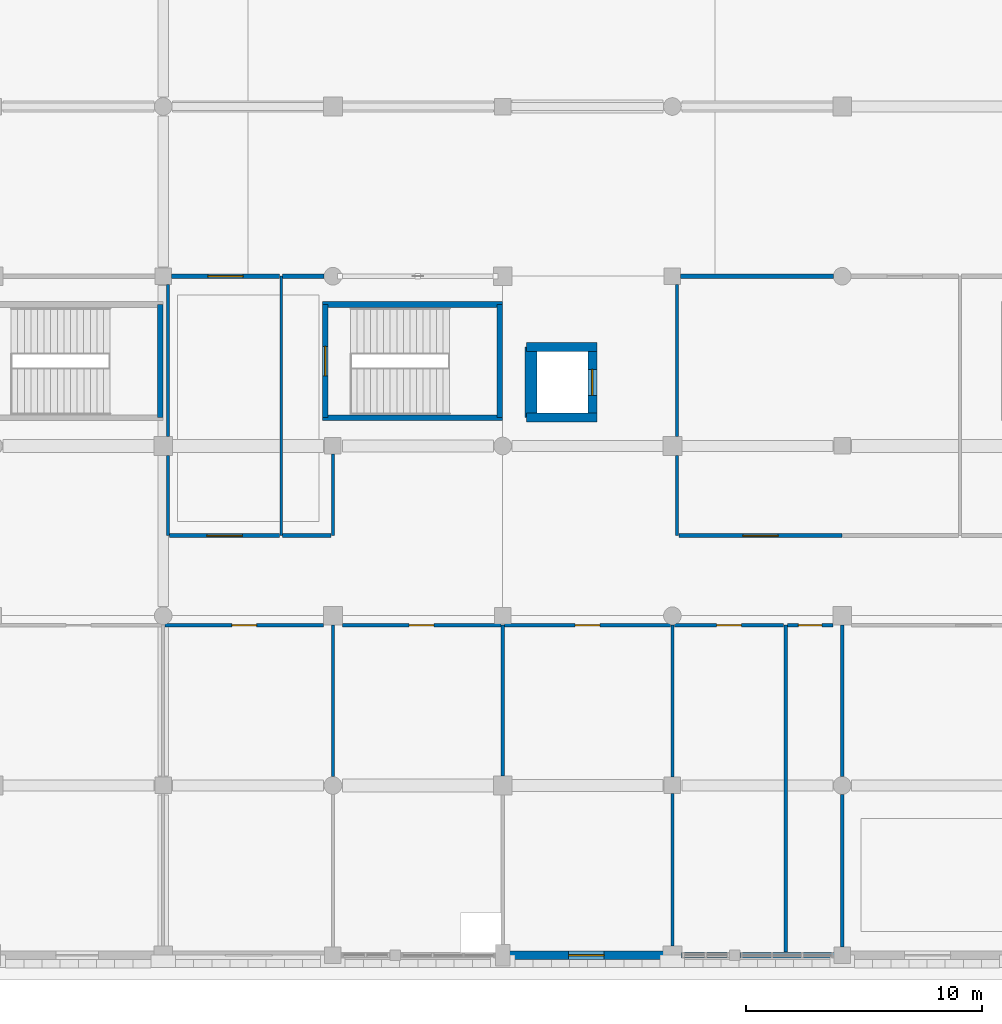
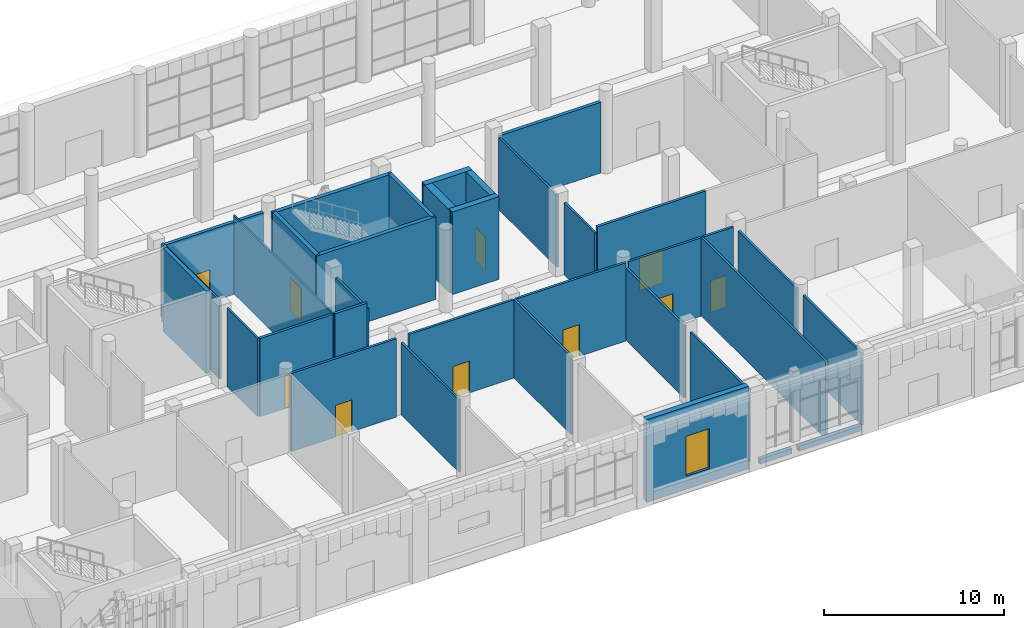
# One storey, part 57 of 85: 36 walls, 10 doors, 1 window, 11 openings.
"""IFC4 building model written with IfcOpenShell, lengths in metres."""

from ifc_helpers import new_model, si_unit, direction, frame, frame_2d, origin, place, context, subcontext, project, spatial, rectangle, extrude, material, layer, layer_set, type_object, element, fill, save


model = new_model("IFC4")

# Units and contexts
model_context = context("Model", 3, precision=1e-05, world=origin(), true_north=direction((0.0, 1.0)))
body_context = subcontext(model_context, "Body", "Model", "MODEL_VIEW")
ifc_project = project(units=[si_unit("LENGTHUNIT", "METRE"), si_unit("AREAUNIT", "SQUARE_METRE"), si_unit("VOLUMEUNIT", "CUBIC_METRE"), si_unit("PLANEANGLEUNIT", "RADIAN"), si_unit("MASSUNIT", "GRAM", prefix="KILO")], contexts=[model_context])

# Site, building, storey
site_placement = place(None, origin())
site = spatial("IfcSite", under=ifc_project, at=site_placement, CompositionType="ELEMENT")
building_placement = place(site_placement, origin())
building = spatial("IfcBuilding", under=site, at=building_placement, Name="Sardonyx Promenade Sports Hall", CompositionType="ELEMENT")
storey_placement = place(building_placement, origin())
storey = spatial("IfcBuildingStorey", under=building, at=storey_placement, Name="L00", CompositionType="ELEMENT", Elevation=0.0)

# Wall, opening, door
ifc_material_1 = material(Name="Concrete C40/50", Category="concrete")
ifc_layer_1 = layer(ifc_material_1, 0.3798828125)
ifc_layer_set_1 = layer_set([ifc_layer_1], Name="Wall_Core_Shear_380")
wall_type_1 = type_object("IfcWallType", Name="Wall_Core_Shear_380", PredefinedType="SHEAR", material=ifc_layer_set_1)
wall_1_placement = place(storey_placement, frame((83.0, 22.800048828125, 0.0), z_axis=(0.0, 0.0, 1.0), x_axis=(0.0, 1.0, 0.0)))
wall_1 = element("IfcWall", 1, at=wall_1_placement, inside=storey, type_object=wall_type_1, Name="Lift shaft wall LF2 L00 E", PredefinedType="SHEAR", context=body_context, shape_type="SweptSolid", body=[
    extrude(rectangle(XDim=3.0, YDim=0.3798828125, at=frame_2d((1.5, 0.0))), origin(), (0.0, 0.0, 1.0), 5.60009765625),
])
opening_1_placement = place(wall_1_placement, frame((0.949951171875, 0.0, 0.0)))
opening_1 = element("IfcOpeningElement", 2, at=opening_1_placement, cuts=wall_1, Name="Opening LD01", PredefinedType="OPENING", context=body_context, shape_type="SweptSolid", body=[
    extrude(rectangle(XDim=1.10009765625, YDim=2.199951171875, at=frame_2d((0.550048828125, 1.10009765625))), frame((0.0, 0.2, 0.0), z_axis=(0.0, -1.0, 0.0), x_axis=(1.0, 0.0, 0.0)), (0.0, 0.0, 1.0), 0.4),
])
ifc_material_2 = material(Name="Fire-rated stainless steel sliding lift door", Category="steel")
door_type_1 = type_object("IfcDoorType", Name="Door_Lift_Pass_110x220", OperationType="NOTDEFINED", PredefinedType="DOOR", material=ifc_material_2)
door_1_placement = place(opening_1_placement, origin())
door_1 = element("IfcDoor", 3, at=door_1_placement, inside=storey, type_object=door_type_1, Name="Lift landing sliding door LD-LF2-L00", OperationType="SLIDING_TO_LEFT", OverallHeight=2.199951171875, OverallWidth=1.10009765625, PredefinedType="DOOR", context=body_context, shape_type="SweptSolid", body=[
    extrude(rectangle(XDim=1.10009765625, YDim=2.199951171875, at=frame_2d((0.550048828125, 1.10009765625))), frame((0.0, 0.02490234375, 0.0), z_axis=(0.0, -1.0, 0.0), x_axis=(1.0, 0.0, 0.0)), (0.0, 0.0, 1.0), 0.050048828125),
])
fill(opening_1, door_1)

# Walls
for number, where, z_axis, x_axis, name in (
    (4, (80.2099609375, 25.800048828125, 0.0), (0.0, 0.0, 1.0), (1.0, 0.0, 0.0), "Lift shaft wall LF2 L00 N"),
    (5, (83.18994140625, 22.800048828125, 0.0), (0.0, 0.0, 1.0), (-1.0, 0.0, 0.0), "Lift shaft wall LF2 L00 S"),
):
    element("IfcWall", number, at=place(storey_placement, frame(where, z_axis=z_axis, x_axis=x_axis)), inside=storey, type_object=wall_type_1, Name=name, PredefinedType="SHEAR", context=body_context, shape_type="SweptSolid", body=[
        extrude(rectangle(XDim=2.97998046875, YDim=0.3798828125, at=frame_2d((1.489990234375, 0.0))), origin(), (0.0, 0.0, 1.0), 5.60009765625),
    ])
ifc_material_3 = material(Name="Concrete C50/60", Category="concrete")
ifc_layer_2 = layer(ifc_material_3, 0.5)
ifc_layer_set_2 = layer_set([ifc_layer_2], Name="Wall_Core_Shear_500")
wall_type_2 = type_object("IfcWallType", Name="Wall_Core_Shear_500", PredefinedType="SHEAR", material=ifc_layer_set_2)
wall_2_placement = place(storey_placement, frame((80.39990234375, 25.800048828125, 0.0), z_axis=(0.0, 0.0, 1.0), x_axis=(0.0, -1.0, 0.0)))
element("IfcWall", 6, at=wall_2_placement, inside=storey, type_object=wall_type_2, Name="Lift shaft wall LF2 L00 W", PredefinedType="SHEAR", context=body_context, shape_type="SweptSolid", body=[
    extrude(rectangle(XDim=3.0, YDim=0.5, at=frame_2d((1.5, 0.0))), origin(), (0.0, 0.0, 1.0), 5.60009765625),
])

# Wall, opening, window
ifc_material_4 = material(Name="Concrete C40/50", Category="concrete")
ifc_layer_3 = layer(ifc_material_4, 0.360107421875)
ifc_layer_set_3 = layer_set([ifc_layer_3], Name="Wall_Ext_Sandstone_360")
wall_type_3 = type_object("IfcWallType", Name="Wall_Ext_Sandstone_360", PredefinedType="SOLIDWALL", material=ifc_layer_set_3)
wall_3_placement = place(storey_placement, frame((86.014892578125, 0.0, 0.0), z_axis=(0.0, 0.0, 1.0), x_axis=(-1.0, 0.0, 0.0)))
wall_3 = element("IfcWall", 7, at=wall_3_placement, inside=storey, type_object=wall_type_3, Name="Exterior wall EW06 L00 #16", PredefinedType="SOLIDWALL", context=body_context, shape_type="SweptSolid", body=[
    extrude(rectangle(XDim=6.52978515625, YDim=0.360107421875, at=frame_2d((3.264892578125, 0.0))), origin(), (0.0, 0.0, 1.0), 5.60009765625),
])
opening_2_placement = place(wall_3_placement, frame((2.514892578125, 0.0, 0.89990234375)))
opening_2 = element("IfcOpeningElement", 8, at=opening_2_placement, cuts=wall_3, Name="Opening W07", PredefinedType="OPENING", context=body_context, shape_type="SweptSolid", body=[
    extrude(rectangle(XDim=1.5, YDim=2.699951171875, at=frame_2d((0.75, 1.35009765625))), frame((0.0, 0.19, 0.0), z_axis=(0.0, -1.0, 0.0), x_axis=(1.0, 0.0, 0.0)), (0.0, 0.0, 1.0), 0.38),
])
ifc_material_5 = material(Name="Double-glazed solar low-E aluminium window", Category="aluminium")
window_type = type_object("IfcWindowType", Name="Win_Sandstone_TallA", PartitioningType="SINGLE_PANEL", PredefinedType="WINDOW", material=ifc_material_5)
window_placement = place(opening_2_placement, origin())
window = element("IfcWindow", 9, at=window_placement, inside=storey, type_object=window_type, Name="Facade window W07 L00 #3", OverallHeight=2.699951171875, OverallWidth=1.5, PartitioningType="SINGLE_PANEL", PredefinedType="WINDOW", context=body_context, shape_type="SweptSolid", body=[
    extrude(rectangle(XDim=1.5, YDim=2.699951171875, at=frame_2d((0.75, 1.35009765625))), frame((0.0, 0.030029296875, 0.0), z_axis=(0.0, -1.0, 0.0), x_axis=(1.0, 0.0, 0.0)), (0.0, 0.0, 1.0), 0.06005859375),
])
fill(opening_2, window)

# Walls
ifc_material_6 = material(Name="Masonry CMU 15 MPa", Category="masonry")
ifc_layer_4 = layer(ifc_material_6, 0.239990234375)
ifc_layer_set_4 = layer_set([ifc_layer_4], Name="Wall_Ext_Spandrel_240")
wall_type_4 = type_object("IfcWallType", Name="Wall_Ext_Spandrel_240", PredefinedType="SOLIDWALL", material=ifc_layer_set_4)
wall_4_placement = place(storey_placement, frame((93.264892578125, 0.0, 0.0), z_axis=(0.0, 0.0, 1.0), x_axis=(-1.0, 0.0, 0.0)))
element("IfcWall", 10, at=wall_4_placement, inside=storey, type_object=wall_type_4, Name="Curtain-wall sill spandrel L00 #14", PredefinedType="SOLIDWALL", context=body_context, shape_type="SweptSolid", body=[
    extrude(rectangle(XDim=4.0048828125, YDim=0.239990234375, at=frame_2d((2.00244140625, 0.0))), origin(), (0.0, 0.0, 1.0), 0.35009765625),
])
wall_5_placement = place(storey_placement, frame((88.840087890625, 0.0, 0.0), z_axis=(0.0, 0.0, 1.0), x_axis=(-1.0, 0.0, 0.0)))
element("IfcWall", 11, at=wall_5_placement, inside=storey, type_object=wall_type_4, Name="Curtain-wall sill spandrel L00 #15", PredefinedType="SOLIDWALL", context=body_context, shape_type="SweptSolid", body=[
    extrude(rectangle(XDim=2.05517578125, YDim=0.239990234375, at=frame_2d((1.027587890625, 0.0))), origin(), (0.0, 0.0, 1.0), 0.35009765625),
])

# Wall, opening, door
ifc_material_7 = material(Name="Twin-stud acoustic gypsum partition", Category="gypsum")
ifc_layer_5 = layer(ifc_material_7, 0.169921875)
ifc_layer_set_5 = layer_set([ifc_layer_5], Name="Wall_Part_Acoust_170")
wall_type_5 = type_object("IfcWallType", Name="Wall_Part_Acoust_170", PredefinedType="PARTITIONING", material=ifc_layer_set_5)
wall_6_placement = place(storey_placement, frame((65.070068359375, 17.800048828125, 0.0), z_axis=(0.0, 0.0, 1.0), x_axis=(1.0, 0.0, 0.0)))
wall_6 = element("IfcWall", 12, at=wall_6_placement, inside=storey, type_object=wall_type_5, Name="Interior partition PW06 L00 #142", PredefinedType="PARTITIONING", context=body_context, shape_type="SweptSolid", body=[
    extrude(rectangle(XDim=4.669921875, YDim=0.169921875, at=frame_2d((2.3349609375, 0.0))), origin(), (0.0, 0.0, 1.0), 5.300048828125),
])
opening_3_placement = place(wall_6_placement, frame((1.5849609375, 0.0, 0.0)))
opening_3 = element("IfcOpeningElement", 13, at=opening_3_placement, cuts=wall_6, Name="Opening ID10", PredefinedType="OPENING", context=body_context, shape_type="SweptSolid", body=[
    extrude(rectangle(XDim=1.5, YDim=2.199951171875, at=frame_2d((0.75, 1.10009765625))), frame((0.0, 0.095, 0.0), z_axis=(0.0, -1.0, 0.0), x_axis=(1.0, 0.0, 0.0)), (0.0, 0.0, 1.0), 0.19),
])
ifc_material_8 = material(Name="Double studio entrance fire door FD30S", Category="wood")
door_type_2 = type_object("IfcDoorType", Name="Door_Corr_FD30_150x220", OperationType="NOTDEFINED", PredefinedType="DOOR", material=ifc_material_8)
door_2_placement = place(opening_3_placement, origin())
door_2 = element("IfcDoor", 14, at=door_2_placement, inside=storey, type_object=door_type_2, Name="Interior door D00-041", OperationType="DOUBLE_DOOR_SINGLE_SWING", OverallHeight=2.199951171875, OverallWidth=1.5, PredefinedType="DOOR", context=body_context, shape_type="SweptSolid", body=[
    extrude(rectangle(XDim=1.5, YDim=2.199951171875, at=frame_2d((0.75, 1.10009765625))), frame((0.0, 0.02490234375, 0.0), z_axis=(0.0, -1.0, 0.0), x_axis=(1.0, 0.0, 0.0)), (0.0, 0.0, 1.0), 0.050048828125),
])
fill(opening_3, door_2)

# Wall
wall_7_placement = place(storey_placement, frame((69.860107421875, 17.800048828125, 0.0), z_axis=(0.0, 0.0, 1.0), x_axis=(1.0, 0.0, 0.0)))
element("IfcWall", 15, at=wall_7_placement, inside=storey, type_object=wall_type_5, Name="Interior partition PW06 L00 #143", PredefinedType="PARTITIONING", context=body_context, shape_type="SweptSolid", body=[
    extrude(rectangle(XDim=2.059814453125, YDim=0.169921875, at=frame_2d((1.02978515625, 0.0))), origin(), (0.0, 0.0, 1.0), 5.300048828125),
])

# Wall, opening, door
wall_8_placement = place(storey_placement, frame((86.675048828125, 17.800048828125, 0.0), z_axis=(0.0, 0.0, 1.0), x_axis=(1.0, 0.0, 0.0)))
wall_8 = element("IfcWall", 16, at=wall_8_placement, inside=storey, type_object=wall_type_5, Name="Interior partition PW06 L00 #144", PredefinedType="PARTITIONING", context=body_context, shape_type="SweptSolid", body=[
    extrude(rectangle(XDim=6.925048828125, YDim=0.169921875, at=frame_2d((3.46240234375, 0.0))), origin(), (0.0, 0.0, 1.0), 5.300048828125),
])
opening_4_placement = place(wall_8_placement, frame((2.71240234375, 0.0, 0.0)))
opening_4 = element("IfcOpeningElement", 17, at=opening_4_placement, cuts=wall_8, Name="Opening ID10", PredefinedType="OPENING", context=body_context, shape_type="SweptSolid", body=[
    extrude(rectangle(XDim=1.5, YDim=2.199951171875, at=frame_2d((0.75, 1.10009765625))), frame((0.0, 0.095, 0.0), z_axis=(0.0, -1.0, 0.0), x_axis=(1.0, 0.0, 0.0)), (0.0, 0.0, 1.0), 0.19),
])
door_3_placement = place(opening_4_placement, origin())
door_3 = element("IfcDoor", 18, at=door_3_placement, inside=storey, type_object=door_type_2, Name="Interior door D00-042", OperationType="DOUBLE_DOOR_SINGLE_SWING", OverallHeight=2.199951171875, OverallWidth=1.5, PredefinedType="DOOR", context=body_context, shape_type="SweptSolid", body=[
    extrude(rectangle(XDim=1.5, YDim=2.199951171875, at=frame_2d((0.75, 1.10009765625))), frame((0.0, 0.02490234375, 0.0), z_axis=(0.0, -1.0, 0.0), x_axis=(1.0, 0.0, 0.0)), (0.0, 0.0, 1.0), 0.050048828125),
])
fill(opening_4, door_3)

ifc_material_9 = material(Name="Masonry CMU 15 MPa", Category="masonry")
ifc_layer_6 = layer(ifc_material_9, 0.2099609375)
ifc_layer_set_6 = layer_set([ifc_layer_6], Name="Wall_Part_Block_210")
wall_type_6 = type_object("IfcWallType", Name="Wall_Part_Block_210", PredefinedType="PARTITIONING", material=ifc_layer_set_6)
wall_9_placement = place(storey_placement, frame((65.14990234375, 28.800048828125, 0.0), z_axis=(0.0, 0.0, 1.0), x_axis=(1.0, 0.0, 0.0)))
wall_9 = element("IfcWall", 19, at=wall_9_placement, inside=storey, type_object=wall_type_6, Name="Interior partition PW07 L00 #115", PredefinedType="PARTITIONING", context=body_context, shape_type="SweptSolid", body=[
    extrude(rectangle(XDim=4.590087890625, YDim=0.2099609375, at=frame_2d((2.294921875, 0.0))), origin(), (0.0, 0.0, 1.0), 4.8798828125),
])
opening_5_placement = place(wall_9_placement, frame((1.544921875, 0.0, 0.0)))
opening_5 = element("IfcOpeningElement", 20, at=opening_5_placement, cuts=wall_9, Name="Opening ID10", PredefinedType="OPENING", context=body_context, shape_type="SweptSolid", body=[
    extrude(rectangle(XDim=1.5, YDim=2.199951171875, at=frame_2d((0.75, 1.10009765625))), frame((0.0, 0.115, 0.0), z_axis=(0.0, -1.0, 0.0), x_axis=(1.0, 0.0, 0.0)), (0.0, 0.0, 1.0), 0.23),
])
door_4_placement = place(opening_5_placement, origin())
door_4 = element("IfcDoor", 21, at=door_4_placement, inside=storey, type_object=door_type_2, Name="Interior door D00-023", OperationType="DOUBLE_DOOR_SINGLE_SWING", OverallHeight=2.199951171875, OverallWidth=1.5, PredefinedType="DOOR", context=body_context, shape_type="SweptSolid", body=[
    extrude(rectangle(XDim=1.5, YDim=2.199951171875, at=frame_2d((0.75, 1.10009765625))), frame((0.0, 0.02490234375, 0.0), z_axis=(0.0, -1.0, 0.0), x_axis=(1.0, 0.0, 0.0)), (0.0, 0.0, 1.0), 0.050048828125),
])
fill(opening_5, door_4)

# Walls
wall_10_placement = place(storey_placement, frame((69.860107421875, 28.800048828125, 0.0), z_axis=(0.0, 0.0, 1.0), x_axis=(1.0, 0.0, 0.0)))
element("IfcWall", 22, at=wall_10_placement, inside=storey, type_object=wall_type_6, Name="Interior partition PW07 L00 #116", PredefinedType="PARTITIONING", context=body_context, shape_type="SweptSolid", body=[
    extrude(rectangle(XDim=1.764892578125, YDim=0.2099609375, at=frame_2d((0.88232421875, 0.0))), origin(), (0.0, 0.0, 1.0), 4.8798828125),
])
wall_11_placement = place(storey_placement, frame((86.75, 28.800048828125, 0.0), z_axis=(0.0, 0.0, 1.0), x_axis=(1.0, 0.0, 0.0)))
element("IfcWall", 23, at=wall_11_placement, inside=storey, type_object=wall_type_6, Name="Interior partition PW07 L00 #117", PredefinedType="PARTITIONING", context=body_context, shape_type="SweptSolid", body=[
    extrude(rectangle(XDim=6.47509765625, YDim=0.2099609375, at=frame_2d((3.237548828125, 0.0))), origin(), (0.0, 0.0, 1.0), 4.780029296875),
])
ifc_material_10 = material(Name="Hygienic clinical stud partition", Category="gypsum")
ifc_layer_7 = layer(ifc_material_10, 0.1201171875)
ifc_layer_set_7 = layer_set([ifc_layer_7], Name="Wall_Part_Clinic_120")
wall_type_7 = type_object("IfcWallType", Name="Wall_Part_Clinic_120", PredefinedType="PARTITIONING", material=ifc_layer_set_7)
wall_12_placement = place(storey_placement, frame((65.0, 17.800048828125, 0.0), z_axis=(0.0, 0.0, 1.0), x_axis=(0.0, 1.0, 0.0)))
element("IfcWall", 24, at=wall_12_placement, inside=storey, type_object=wall_type_7, Name="Interior partition PW02 L00 #94", PredefinedType="PARTITIONING", context=body_context, shape_type="SweptSolid", body=[
    extrude(rectangle(XDim=3.39990234375, YDim=0.1201171875, at=frame_2d((1.699951171875, 0.0))), origin(), (0.0, 0.0, 1.0), 5.300048828125),
])
wall_13_placement = place(storey_placement, frame((65.0, 22.0, 0.0), z_axis=(0.0, 0.0, 1.0), x_axis=(0.0, 1.0, 0.0)))
element("IfcWall", 25, at=wall_13_placement, inside=storey, type_object=wall_type_7, Name="Interior partition PW02 L00 #95", PredefinedType="PARTITIONING", context=body_context, shape_type="SweptSolid", body=[
    extrude(rectangle(XDim=6.449951171875, YDim=0.1201171875, at=frame_2d((3.22509765625, 0.0))), origin(), (0.0, 0.0, 1.0), 5.300048828125),
])

# Wall, opening, door
ifc_material_11 = material(Name="Fire-rated stud gypsum partition", Category="gypsum")
ifc_layer_8 = layer(ifc_material_11, 0.14990234375)
ifc_layer_set_8 = layer_set([ifc_layer_8], Name="Wall_Part_Corridor_150")
wall_type_8 = type_object("IfcWallType", Name="Wall_Part_Corridor_150", PredefinedType="PARTITIONING", material=ifc_layer_set_8)
wall_14_placement = place(storey_placement, frame((64.875, 14.0, 0.0), z_axis=(0.0, 0.0, 1.0), x_axis=(1.0, 0.0, 0.0)))
wall_14 = element("IfcWall", 26, at=wall_14_placement, inside=storey, type_object=wall_type_8, Name="Interior partition PW04 L00 #129", PredefinedType="PARTITIONING", context=body_context, shape_type="SweptSolid", body=[
    extrude(rectangle(XDim=6.72509765625, YDim=0.14990234375, at=frame_2d((3.362548828125, 0.0))), origin(), (0.0, 0.0, 1.0), 5.300048828125),
])
opening_6_placement = place(wall_14_placement, frame((2.83740234375, 0.0, 0.0)))
opening_6 = element("IfcOpeningElement", 27, at=opening_6_placement, cuts=wall_14, Name="Opening ID07", PredefinedType="OPENING", context=body_context, shape_type="SweptSolid", body=[
    extrude(rectangle(XDim=1.050048828125, YDim=2.14990234375, at=frame_2d((0.52490234375, 1.074951171875))), frame((0.0, 0.085, 0.0), z_axis=(0.0, -1.0, 0.0), x_axis=(1.0, 0.0, 0.0)), (0.0, 0.0, 1.0), 0.17),
])
ifc_material_12 = material(Name="Hardwood accessible fire door FD30S", Category="wood")
door_type_3 = type_object("IfcDoorType", Name="Door_Corr_FD30_105x215", OperationType="NOTDEFINED", PredefinedType="DOOR", material=ifc_material_12)
door_5_placement = place(opening_6_placement, origin())
door_5 = element("IfcDoor", 28, at=door_5_placement, inside=storey, type_object=door_type_3, Name="Interior door D00-028", OperationType="SINGLE_SWING_RIGHT", OverallHeight=2.14990234375, OverallWidth=1.050048828125, PredefinedType="DOOR", context=body_context, shape_type="SweptSolid", body=[
    extrude(rectangle(XDim=1.050048828125, YDim=2.14990234375, at=frame_2d((0.52490234375, 1.074951171875))), frame((0.0, 0.02490234375, 0.0), z_axis=(0.0, -1.0, 0.0), x_axis=(1.0, 0.0, 0.0)), (0.0, 0.0, 1.0), 0.050048828125),
])
fill(opening_6, door_5)

wall_15_placement = place(storey_placement, frame((72.39990234375, 14.0, 0.0), z_axis=(0.0, 0.0, 1.0), x_axis=(1.0, 0.0, 0.0)))
wall_15 = element("IfcWall", 29, at=wall_15_placement, inside=storey, type_object=wall_type_8, Name="Interior partition PW04 L00 #130", PredefinedType="PARTITIONING", context=body_context, shape_type="SweptSolid", body=[
    extrude(rectangle(XDim=6.72021484375, YDim=0.14990234375, at=frame_2d((3.360107421875, 0.0))), origin(), (0.0, 0.0, 1.0), 5.300048828125),
])
opening_7_placement = place(wall_15_placement, frame((2.8349609375, 0.0, 0.0)))
opening_7 = element("IfcOpeningElement", 30, at=opening_7_placement, cuts=wall_15, Name="Opening ID07", PredefinedType="OPENING", context=body_context, shape_type="SweptSolid", body=[
    extrude(rectangle(XDim=1.050048828125, YDim=2.14990234375, at=frame_2d((0.52490234375, 1.074951171875))), frame((0.0, 0.085, 0.0), z_axis=(0.0, -1.0, 0.0), x_axis=(1.0, 0.0, 0.0)), (0.0, 0.0, 1.0), 0.17),
])
door_6_placement = place(opening_7_placement, origin())
door_6 = element("IfcDoor", 31, at=door_6_placement, inside=storey, type_object=door_type_3, Name="Interior door D00-029", OperationType="SINGLE_SWING_LEFT", OverallHeight=2.14990234375, OverallWidth=1.050048828125, PredefinedType="DOOR", context=body_context, shape_type="SweptSolid", body=[
    extrude(rectangle(XDim=1.050048828125, YDim=2.14990234375, at=frame_2d((0.52490234375, 1.074951171875))), frame((0.0, 0.02490234375, 0.0), z_axis=(0.0, -1.0, 0.0), x_axis=(1.0, 0.0, 0.0)), (0.0, 0.0, 1.0), 0.050048828125),
])
fill(opening_7, door_6)

wall_16_placement = place(storey_placement, frame((79.280029296875, 14.0, 0.0), z_axis=(0.0, 0.0, 1.0), x_axis=(1.0, 0.0, 0.0)))
wall_16 = element("IfcWall", 32, at=wall_16_placement, inside=storey, type_object=wall_type_8, Name="Interior partition PW04 L00 #131", PredefinedType="PARTITIONING", context=body_context, shape_type="SweptSolid", body=[
    extrude(rectangle(XDim=7.0400390625, YDim=0.14990234375, at=frame_2d((3.52001953125, 0.0))), origin(), (0.0, 0.0, 1.0), 5.300048828125),
])
opening_8_placement = place(wall_16_placement, frame((2.9951171875, 0.0, 0.0)))
opening_8 = element("IfcOpeningElement", 33, at=opening_8_placement, cuts=wall_16, Name="Opening ID07", PredefinedType="OPENING", context=body_context, shape_type="SweptSolid", body=[
    extrude(rectangle(XDim=1.050048828125, YDim=2.14990234375, at=frame_2d((0.52490234375, 1.074951171875))), frame((0.0, 0.085, 0.0), z_axis=(0.0, -1.0, 0.0), x_axis=(1.0, 0.0, 0.0)), (0.0, 0.0, 1.0), 0.17),
])
door_7_placement = place(opening_8_placement, origin())
door_7 = element("IfcDoor", 34, at=door_7_placement, inside=storey, type_object=door_type_3, Name="Interior door D00-030", OperationType="SINGLE_SWING_RIGHT", OverallHeight=2.14990234375, OverallWidth=1.050048828125, PredefinedType="DOOR", context=body_context, shape_type="SweptSolid", body=[
    extrude(rectangle(XDim=1.050048828125, YDim=2.14990234375, at=frame_2d((0.52490234375, 1.074951171875))), frame((0.0, 0.02490234375, 0.0), z_axis=(0.0, -1.0, 0.0), x_axis=(1.0, 0.0, 0.0)), (0.0, 0.0, 1.0), 0.050048828125),
])
fill(opening_8, door_7)

wall_17_placement = place(storey_placement, frame((86.47998046875, 14.0, 0.0), z_axis=(0.0, 0.0, 1.0), x_axis=(1.0, 0.0, 0.0)))
wall_17 = element("IfcWall", 35, at=wall_17_placement, inside=storey, type_object=wall_type_8, Name="Interior partition PW04 L00 #132", PredefinedType="PARTITIONING", context=body_context, shape_type="SweptSolid", body=[
    extrude(rectangle(XDim=4.64013671875, YDim=0.14990234375, at=frame_2d((2.320068359375, 0.0))), origin(), (0.0, 0.0, 1.0), 5.300048828125),
])
opening_9_placement = place(wall_17_placement, frame((1.794921875, 0.0, 0.0)))
opening_9 = element("IfcOpeningElement", 36, at=opening_9_placement, cuts=wall_17, Name="Opening ID07", PredefinedType="OPENING", context=body_context, shape_type="SweptSolid", body=[
    extrude(rectangle(XDim=1.050048828125, YDim=2.14990234375, at=frame_2d((0.52490234375, 1.074951171875))), frame((0.0, 0.085, 0.0), z_axis=(0.0, -1.0, 0.0), x_axis=(1.0, 0.0, 0.0)), (0.0, 0.0, 1.0), 0.17),
])
door_8_placement = place(opening_9_placement, origin())
door_8 = element("IfcDoor", 37, at=door_8_placement, inside=storey, type_object=door_type_3, Name="Interior door D00-031", OperationType="SINGLE_SWING_LEFT", OverallHeight=2.14990234375, OverallWidth=1.050048828125, PredefinedType="DOOR", context=body_context, shape_type="SweptSolid", body=[
    extrude(rectangle(XDim=1.050048828125, YDim=2.14990234375, at=frame_2d((0.52490234375, 1.074951171875))), frame((0.0, 0.02490234375, 0.0), z_axis=(0.0, -1.0, 0.0), x_axis=(1.0, 0.0, 0.0)), (0.0, 0.0, 1.0), 0.050048828125),
])
fill(opening_9, door_8)

wall_18_placement = place(storey_placement, frame((91.280029296875, 14.0, 0.0), z_axis=(0.0, 0.0, 1.0), x_axis=(1.0, 0.0, 0.0)))
wall_18 = element("IfcWall", 38, at=wall_18_placement, inside=storey, type_object=wall_type_8, Name="Interior partition PW04 L00 #133", PredefinedType="PARTITIONING", context=body_context, shape_type="SweptSolid", body=[
    extrude(rectangle(XDim=1.919921875, YDim=0.14990234375, at=frame_2d((0.9599609375, 0.0))), origin(), (0.0, 0.0, 1.0), 5.300048828125),
])
opening_10_placement = place(wall_18_placement, frame((0.4599609375, 0.0, 0.0)))
opening_10 = element("IfcOpeningElement", 39, at=opening_10_placement, cuts=wall_18, Name="Opening ID14", PredefinedType="OPENING", context=body_context, shape_type="SweptSolid", body=[
    extrude(rectangle(XDim=1.0, YDim=2.14990234375, at=frame_2d((0.5, 1.074951171875))), frame((0.0, 0.085, 0.0), z_axis=(0.0, -1.0, 0.0), x_axis=(1.0, 0.0, 0.0)), (0.0, 0.0, 1.0), 0.17),
])
ifc_material_13 = material(Name="Hardwood corridor fire door FD30S", Category="wood")
door_type_4 = type_object("IfcDoorType", Name="Door_Corr_FD30_100x215", OperationType="NOTDEFINED", PredefinedType="DOOR", material=ifc_material_13)
door_9_placement = place(opening_10_placement, origin())
door_9 = element("IfcDoor", 40, at=door_9_placement, inside=storey, type_object=door_type_4, Name="Interior door D00-032", OperationType="SINGLE_SWING_RIGHT", OverallHeight=2.14990234375, OverallWidth=1.0, PredefinedType="DOOR", context=body_context, shape_type="SweptSolid", body=[
    extrude(rectangle(XDim=1.0, YDim=2.14990234375, at=frame_2d((0.5, 1.074951171875))), frame((0.0, 0.02490234375, 0.0), z_axis=(0.0, -1.0, 0.0), x_axis=(1.0, 0.0, 0.0)), (0.0, 0.0, 1.0), 0.050048828125),
])
fill(opening_10, door_9)

# Walls
ifc_material_14 = material(Name="Lightweight steel-stud partition", Category="steel")
ifc_layer_9 = layer(ifc_material_14, 0.10009765625)
ifc_layer_set_9 = layer_set([ifc_layer_9], Name="Wall_Part_Light_100")
wall_type_9 = type_object("IfcWallType", Name="Wall_Part_Light_100", PredefinedType="PARTITIONING", material=ifc_layer_set_9)
wall_19_placement = place(storey_placement, frame((69.800048828125, 17.800048828125, 0.0), z_axis=(0.0, 0.0, 1.0), x_axis=(0.0, 1.0, 0.0)))
element("IfcWall", 41, at=wall_19_placement, inside=storey, type_object=wall_type_9, Name="Interior partition PW01 L00 #96", PredefinedType="PARTITIONING", context=body_context, shape_type="SweptSolid", body=[
    extrude(rectangle(XDim=11.0, YDim=0.10009765625, at=frame_2d((5.5, 0.0))), origin(), (0.0, 0.0, 1.0), 5.300048828125),
])
ifc_material_15 = material(Name="Acoustic sports stud partition", Category="gypsum")
ifc_layer_10 = layer(ifc_material_15, 0.1298828125)
ifc_layer_set_10 = layer_set([ifc_layer_10], Name="Wall_Part_Studio_130")
wall_type_10 = type_object("IfcWallType", Name="Wall_Part_Studio_130", PredefinedType="PARTITIONING", material=ifc_layer_set_10)
wall_20_placement = place(storey_placement, frame((86.60009765625, 17.800048828125, 0.0), z_axis=(0.0, 0.0, 1.0), x_axis=(0.0, 1.0, 0.0)))
element("IfcWall", 42, at=wall_20_placement, inside=storey, type_object=wall_type_10, Name="Interior partition PW05 L00 #98", PredefinedType="PARTITIONING", context=body_context, shape_type="SweptSolid", body=[
    extrude(rectangle(XDim=3.39990234375, YDim=0.1298828125, at=frame_2d((1.699951171875, 0.0))), origin(), (0.0, 0.0, 1.0), 4.8798828125),
])
wall_21_placement = place(storey_placement, frame((86.60009765625, 22.0, 0.0), z_axis=(0.0, 0.0, 1.0), x_axis=(0.0, 1.0, 0.0)))
element("IfcWall", 43, at=wall_21_placement, inside=storey, type_object=wall_type_10, Name="Interior partition PW05 L00 #99", PredefinedType="PARTITIONING", context=body_context, shape_type="SweptSolid", body=[
    extrude(rectangle(XDim=6.449951171875, YDim=0.1298828125, at=frame_2d((3.22509765625, 0.0))), origin(), (0.0, 0.0, 1.0), 4.8798828125),
])
ifc_material_16 = material(Name="Moisture-resistant masonry partition", Category="masonry")
ifc_layer_11 = layer(ifc_material_16, 0.139892578125)
ifc_layer_set_11 = layer_set([ifc_layer_11], Name="Wall_Part_Wet_140")
wall_type_11 = type_object("IfcWallType", Name="Wall_Part_Wet_140", PredefinedType="PARTITIONING", material=ifc_layer_set_11)
wall_22_placement = place(storey_placement, frame((72.0, 7.574951171875, 0.0), z_axis=(0.0, 0.0, 1.0), x_axis=(0.0, 1.0, 0.0)))
element("IfcWall", 44, at=wall_22_placement, inside=storey, type_object=wall_type_11, Name="Interior partition PW08 L00 #62", PredefinedType="PARTITIONING", context=body_context, shape_type="SweptSolid", body=[
    extrude(rectangle(XDim=6.425048828125, YDim=0.139892578125, at=frame_2d((3.21240234375, 0.0))), origin(), (0.0, 0.0, 1.0), 4.8798828125),
])
wall_23_placement = place(storey_placement, frame((79.199951171875, 7.60009765625, 0.0), z_axis=(0.0, 0.0, 1.0), x_axis=(0.0, 1.0, 0.0)))
element("IfcWall", 45, at=wall_23_placement, inside=storey, type_object=wall_type_11, Name="Interior partition PW08 L00 #64", PredefinedType="PARTITIONING", context=body_context, shape_type="SweptSolid", body=[
    extrude(rectangle(XDim=6.39990234375, YDim=0.139892578125, at=frame_2d((3.199951171875, 0.0))), origin(), (0.0, 0.0, 1.0), 5.300048828125),
])
wall_24_placement = place(storey_placement, frame((86.39990234375, 0.39990234375, 0.0), z_axis=(0.0, 0.0, 1.0), x_axis=(0.0, 1.0, 0.0)))
element("IfcWall", 46, at=wall_24_placement, inside=storey, type_object=wall_type_11, Name="Interior partition PW08 L00 #65", PredefinedType="PARTITIONING", context=body_context, shape_type="SweptSolid", body=[
    extrude(rectangle(XDim=6.4501953125, YDim=0.139892578125, at=frame_2d((3.22509765625, 0.0))), origin(), (0.0, 0.0, 1.0), 4.8798828125),
])
wall_25_placement = place(storey_placement, frame((86.39990234375, 7.550048828125, 0.0), z_axis=(0.0, 0.0, 1.0), x_axis=(0.0, 1.0, 0.0)))
element("IfcWall", 47, at=wall_25_placement, inside=storey, type_object=wall_type_11, Name="Interior partition PW08 L00 #66", PredefinedType="PARTITIONING", context=body_context, shape_type="SweptSolid", body=[
    extrude(rectangle(XDim=6.449951171875, YDim=0.139892578125, at=frame_2d((3.22509765625, 0.0))), origin(), (0.0, 0.0, 1.0), 4.8798828125),
])
wall_26_placement = place(storey_placement, frame((91.199951171875, 0.1298828125, 0.0), z_axis=(0.0, 0.0, 1.0), x_axis=(0.0, 1.0, 0.0)))
element("IfcWall", 48, at=wall_26_placement, inside=storey, type_object=wall_type_11, Name="Interior partition PW08 L00 #67", PredefinedType="PARTITIONING", context=body_context, shape_type="SweptSolid", body=[
    extrude(rectangle(XDim=13.8701171875, YDim=0.139892578125, at=frame_2d((6.93505859375, 0.0))), origin(), (0.0, 0.0, 1.0), 5.300048828125),
])
wall_27_placement = place(storey_placement, frame((93.60009765625, 0.35009765625, 0.0), z_axis=(0.0, 0.0, 1.0), x_axis=(0.0, 1.0, 0.0)))
element("IfcWall", 49, at=wall_27_placement, inside=storey, type_object=wall_type_11, Name="Interior partition PW08 L00 #68", PredefinedType="PARTITIONING", context=body_context, shape_type="SweptSolid", body=[
    extrude(rectangle(XDim=6.474853515625, YDim=0.139892578125, at=frame_2d((3.2373046875, 0.0))), origin(), (0.0, 0.0, 1.0), 4.8798828125),
])
wall_28_placement = place(storey_placement, frame((93.60009765625, 7.574951171875, 0.0), z_axis=(0.0, 0.0, 1.0), x_axis=(0.0, 1.0, 0.0)))
element("IfcWall", 50, at=wall_28_placement, inside=storey, type_object=wall_type_11, Name="Interior partition PW08 L00 #69", PredefinedType="PARTITIONING", context=body_context, shape_type="SweptSolid", body=[
    extrude(rectangle(XDim=6.425048828125, YDim=0.139892578125, at=frame_2d((3.21240234375, 0.0))), origin(), (0.0, 0.0, 1.0), 4.8798828125),
])
wall_29_placement = place(storey_placement, frame((72.0, 17.800048828125, 0.0), z_axis=(0.0, 0.0, 1.0), x_axis=(0.0, 1.0, 0.0)))
element("IfcWall", 51, at=wall_29_placement, inside=storey, type_object=wall_type_11, Name="Interior partition PW08 L00 #97", PredefinedType="PARTITIONING", context=body_context, shape_type="SweptSolid", body=[
    extrude(rectangle(XDim=3.449951171875, YDim=0.139892578125, at=frame_2d((1.72509765625, 0.0))), origin(), (0.0, 0.0, 1.0), 4.8798828125),
])
ifc_material_17 = material(Name="Concrete C40/50", Category="concrete")
ifc_layer_12 = layer(ifc_material_17, 0.25)
ifc_layer_set_12 = layer_set([ifc_layer_12], Name="Wall_Stair_Shear_250")
wall_type_12 = type_object("IfcWallType", Name="Wall_Stair_Shear_250", PredefinedType="SHEAR", material=ifc_layer_set_12)
wall_30_placement = place(storey_placement, frame((64.675048828125, 27.60009765625, 0.0), z_axis=(0.0, 0.0, 1.0), x_axis=(0.0, -1.0, 0.0)))
element("IfcWall", 52, at=wall_30_placement, inside=storey, type_object=wall_type_12, Name="Stair shaft wall ST3 L00 E", PredefinedType="SHEAR", context=body_context, shape_type="SweptSolid", body=[
    extrude(rectangle(XDim=4.800048828125, YDim=0.25, at=frame_2d((2.39990234375, 0.0))), origin(), (0.0, 0.0, 1.0), 5.60009765625),
])

# Wall, opening, door
wall_31_placement = place(storey_placement, frame((71.675048828125, 22.800048828125, 0.0), z_axis=(0.0, 0.0, 1.0), x_axis=(0.0, 1.0, 0.0)))
wall_31 = element("IfcWall", 53, at=wall_31_placement, inside=storey, type_object=wall_type_12, Name="Stair shaft wall ST4 L00 entry", PredefinedType="SHEAR", context=body_context, shape_type="SweptSolid", body=[
    extrude(rectangle(XDim=4.800048828125, YDim=0.25, at=frame_2d((2.39990234375, 0.0))), origin(), (0.0, 0.0, 1.0), 5.60009765625),
])
opening_11_placement = place(wall_31_placement, frame((1.77490234375, 0.0, 0.0)))
opening_11 = element("IfcOpeningElement", 54, at=opening_11_placement, cuts=wall_31, Name="Opening ID13", PredefinedType="OPENING", context=body_context, shape_type="SweptSolid", body=[
    extrude(rectangle(XDim=1.25, YDim=2.199951171875, at=frame_2d((0.625, 1.10009765625))), frame((0.0, 0.135, 0.0), z_axis=(0.0, -1.0, 0.0), x_axis=(1.0, 0.0, 0.0)), (0.0, 0.0, 1.0), 0.27),
])
ifc_material_18 = material(Name="Solid-core hardwood fire door FD60S", Category="wood")
door_type_5 = type_object("IfcDoorType", Name="Door_Stair_FD60_125x220", OperationType="NOTDEFINED", PredefinedType="DOOR", material=ifc_material_18)
door_10_placement = place(opening_11_placement, origin())
door_10 = element("IfcDoor", 55, at=door_10_placement, inside=storey, type_object=door_type_5, Name="Protected stair door SD18 (ST4 L00)", OperationType="SINGLE_SWING_RIGHT", OverallHeight=2.199951171875, OverallWidth=1.25, PredefinedType="DOOR", context=body_context, shape_type="SweptSolid", body=[
    extrude(rectangle(XDim=1.25, YDim=2.199951171875, at=frame_2d((0.625, 1.10009765625))), frame((0.0, 0.02490234375, 0.0), z_axis=(0.0, -1.0, 0.0), x_axis=(1.0, 0.0, 0.0)), (0.0, 0.0, 1.0), 0.050048828125),
])
fill(opening_11, door_10)

# Walls
wall_32_placement = place(storey_placement, frame((71.550048828125, 27.60009765625, 0.0), z_axis=(0.0, 0.0, 1.0), x_axis=(1.0, 0.0, 0.0)))
element("IfcWall", 56, at=wall_32_placement, inside=storey, type_object=wall_type_12, Name="Stair shaft wall ST4 L00 N", PredefinedType="SHEAR", context=body_context, shape_type="SweptSolid", body=[
    extrude(rectangle(XDim=7.64990234375, YDim=0.25, at=frame_2d((3.824951171875, 0.0))), origin(), (0.0, 0.0, 1.0), 5.60009765625),
])
wall_33_placement = place(storey_placement, frame((79.074951171875, 27.60009765625, 0.0), z_axis=(0.0, 0.0, 1.0), x_axis=(0.0, -1.0, 0.0)))
element("IfcWall", 57, at=wall_33_placement, inside=storey, type_object=wall_type_12, Name="Stair shaft wall ST4 L00 E", PredefinedType="SHEAR", context=body_context, shape_type="SweptSolid", body=[
    extrude(rectangle(XDim=4.800048828125, YDim=0.25, at=frame_2d((2.39990234375, 0.0))), origin(), (0.0, 0.0, 1.0), 5.60009765625),
])
wall_34_placement = place(storey_placement, frame((79.199951171875, 22.800048828125, 0.0), z_axis=(0.0, 0.0, 1.0), x_axis=(-1.0, 0.0, 0.0)))
element("IfcWall", 58, at=wall_34_placement, inside=storey, type_object=wall_type_12, Name="Stair shaft wall ST4 L00 S", PredefinedType="SHEAR", context=body_context, shape_type="SweptSolid", body=[
    extrude(rectangle(XDim=7.64990234375, YDim=0.25, at=frame_2d((3.824951171875, 0.0))), origin(), (0.0, 0.0, 1.0), 5.60009765625),
])

save(model, "model.ifc")
